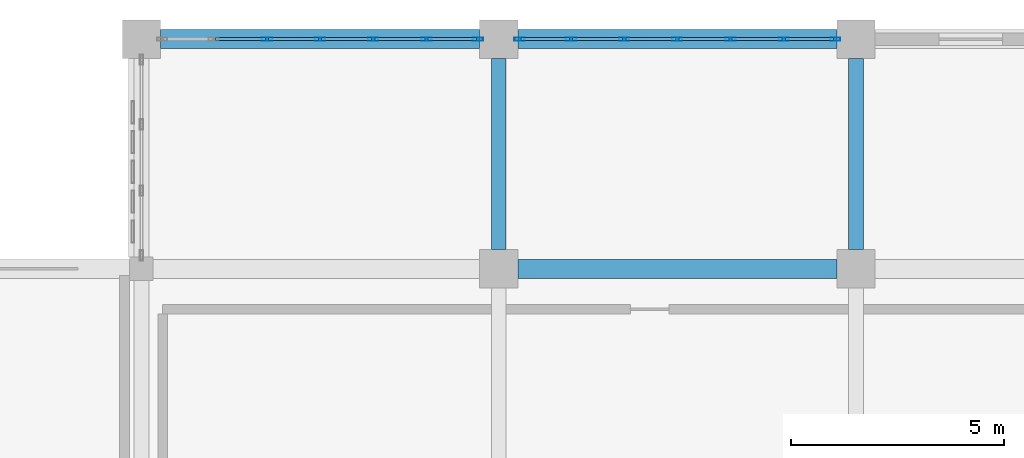
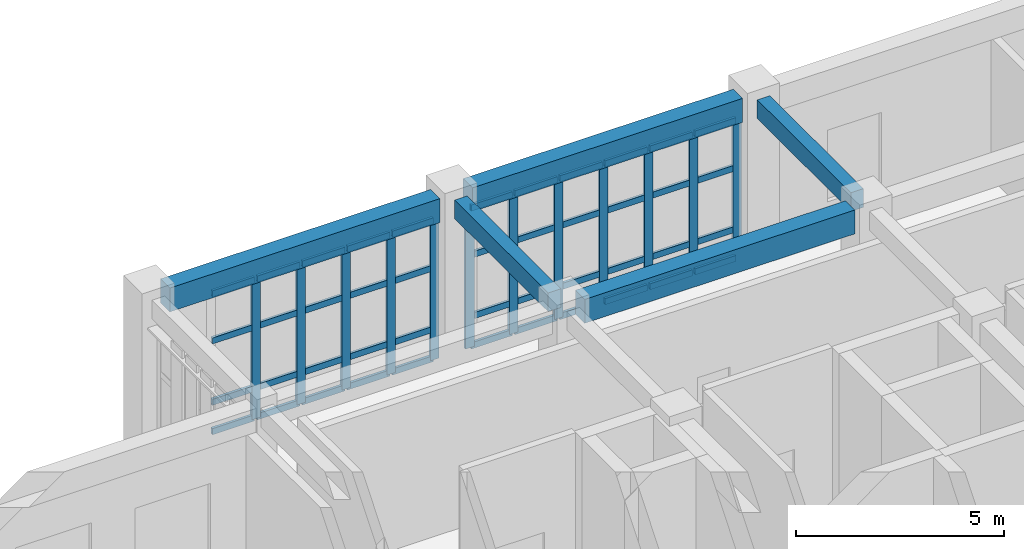
# One storey, part 63 of 106: 56 members, 5 beams, 2 elements without a shape of their own.
"""IFC4 building model written with IfcOpenShell, lengths in metres."""

from ifc_helpers import new_model, si_unit, direction, frame, origin, origin_2d, place, context, subcontext, project, spatial, rectangle, hollow_rectangle, extrude, material, layer, layer_set, material_profile, profile_set, type_object, element, aggregate, save


model = new_model("IFC4")

# Units and contexts
model_context = context("Model", 3, precision=1e-05, world=origin(), true_north=direction((0.0, 1.0)))
body_context = subcontext(model_context, "Body", "Model", "MODEL_VIEW")
ifc_project = project(units=[si_unit("LENGTHUNIT", "METRE"), si_unit("AREAUNIT", "SQUARE_METRE"), si_unit("VOLUMEUNIT", "CUBIC_METRE"), si_unit("PLANEANGLEUNIT", "RADIAN"), si_unit("MASSUNIT", "GRAM", prefix="KILO")], contexts=[model_context])

# Site, building, storey
site_placement = place(None, origin())
site = spatial("IfcSite", under=ifc_project, at=site_placement, CompositionType="ELEMENT")
building_placement = place(site_placement, origin())
building = spatial("IfcBuilding", under=site, at=building_placement, Name="Krzemoval Escarpment Law Courts", CompositionType="ELEMENT")
storey_placement = place(building_placement, frame((0.0, 0.0, 5.10009765625)))
storey = spatial("IfcBuildingStorey", under=building, at=storey_placement, Name="L01", CompositionType="ELEMENT", Elevation=5.10009765625)

# Beams
ifc_material_1 = material(Name="Concrete C40/50", Category="concrete")
ifc_material_profile_1 = material_profile(ifc_material_1, rectangle(XDim=0.35009765625, YDim=0.550048828125, at=origin_2d()), Name="RCB 350x550")
ifc_profile_set_1 = profile_set([ifc_material_profile_1], Name="Concrete C40/50")
beam_type_1 = type_object("IfcBeamType", Name="BM-RC-350x550", PredefinedType="BEAM", material=ifc_profile_set_1)
for number, where, z_axis, x_axis, name in (
    (1, (134.39990234375, 113.85009765625, 4.544921875), (0.0, 1.0, 0.0), (-1.0, 0.0, 0.0), "Beam FG-L01-1535"),
    (2, (142.800048828125, 113.85009765625, 4.544921875), (0.0, 1.0, 0.0), (-1.0, 0.0, 0.0), "Beam FG-L01-1551"),
):
    element("IfcBeam", number, at=place(storey_placement, frame(where, z_axis=z_axis, x_axis=x_axis)), inside=storey, type_object=beam_type_1, Name=name, PredefinedType="BEAM", context=body_context, shape_type="SweptSolid", body=[
        extrude(rectangle(XDim=0.35009765625, YDim=0.550048828125, at=origin_2d()), origin(), (0.0, 0.0, 1.0), 4.5),
    ])
ifc_material_2 = material(Name="Concrete C40/50", Category="concrete")
ifc_material_profile_2 = material_profile(ifc_material_2, rectangle(XDim=0.449951171875, YDim=0.699951171875, at=origin_2d()), Name="RCB 450x700")
ifc_profile_set_2 = profile_set([ifc_material_profile_2], Name="Concrete C40/50")
beam_type_2 = type_object("IfcBeamType", Name="BM-RC-450x700", PredefinedType="BEAM", material=ifc_profile_set_2)
for number, where, z_axis, x_axis, name in (
    (3, (134.85009765625, 113.39990234375, 4.469970703125), (1.0, 0.0, 0.0), (0.0, 1.0, 0.0), "Beam FG-L01-1353"),
    (4, (126.449951171875, 118.800048828125, 4.469970703125), (1.0, 0.0, 0.0), (0.0, 1.0, 0.0), "Beam FG-L01-1364"),
    (5, (134.85009765625, 118.800048828125, 4.469970703125), (1.0, 0.0, 0.0), (0.0, 1.0, 0.0), "Beam FG-L01-1365"),
):
    element("IfcBeam", number, at=place(storey_placement, frame(where, z_axis=z_axis, x_axis=x_axis)), inside=storey, type_object=beam_type_2, Name=name, PredefinedType="BEAM", context=body_context, shape_type="SweptSolid", body=[
        extrude(rectangle(XDim=0.449951171875, YDim=0.699951171875, at=origin_2d()), origin(), (0.0, 0.0, 1.0), 7.5),
    ])

# Curtain wall, members
ifc_material_3 = material(Name="Aluminium 6063-T6", Category="aluminium")
ifc_layer = layer(ifc_material_3, 0.239990234375)
ifc_layer_set = layer_set([ifc_layer], Name="Aluminium 6063-T6")
curtain_wall_type = type_object("IfcCurtainWallType", Name="CW-CHMB-4800", PredefinedType="USERDEFINED", material=ifc_layer_set)
curtain_wall_1_placement = place(storey_placement, origin())
curtain_wall_1 = element("IfcCurtainWall", 6, at=curtain_wall_1_placement, inside=storey, type_object=curtain_wall_type, Name="Unitised Curtain Wall FCW-L01-032", ObjectType="UNITISED_CURTAIN_WALL", PredefinedType="USERDEFINED")
ifc_material_4 = material(Name="Aluminium 6063-T6", Category="aluminium")
ifc_material_profile_3 = material_profile(ifc_material_4, hollow_rectangle(XDim=0.074951171875, YDim=0.239990234375, WallThickness=0.0048828125, at=origin_2d()), Name="ALU M75x240")
ifc_profile_set_3 = profile_set([ifc_material_profile_3], Name="Aluminium 6063-T6")
member_type_1 = type_object("IfcMemberType", Name="CWM-75x240", PredefinedType="MULLION", material=ifc_profile_set_3)
member_1_placement = place(storey_placement, frame((128.949951171875, 118.800048828125, 0.0), z_axis=(0.0, 0.0, 1.0), x_axis=(0.0, 1.0, 0.0)))
member_1 = element("IfcMember", 7, at=member_1_placement, type_object=member_type_1, Name="FCW-L01-032 mullion 3", PredefinedType="MULLION", context=body_context, shape_type="SweptSolid", body=[
    extrude(hollow_rectangle(XDim=0.074951171875, YDim=0.239990234375, WallThickness=0.0048828125, at=origin_2d()), origin(), (0.0, 0.0, 1.0), 4.119873046875),
])
member_2_placement = place(storey_placement, frame((130.199951171875, 118.800048828125, 0.0), z_axis=(0.0, 0.0, 1.0), x_axis=(0.0, 1.0, 0.0)))
member_2 = element("IfcMember", 8, at=member_2_placement, type_object=member_type_1, Name="FCW-L01-032 mullion 4", PredefinedType="MULLION", context=body_context, shape_type="SweptSolid", body=[
    extrude(hollow_rectangle(XDim=0.074951171875, YDim=0.239990234375, WallThickness=0.0048828125, at=origin_2d()), origin(), (0.0, 0.0, 1.0), 4.119873046875),
])
member_3_placement = place(storey_placement, frame((131.449951171875, 118.800048828125, 0.0), z_axis=(0.0, 0.0, 1.0), x_axis=(0.0, 1.0, 0.0)))
member_3 = element("IfcMember", 9, at=member_3_placement, type_object=member_type_1, Name="FCW-L01-032 mullion 5", PredefinedType="MULLION", context=body_context, shape_type="SweptSolid", body=[
    extrude(hollow_rectangle(XDim=0.074951171875, YDim=0.239990234375, WallThickness=0.0048828125, at=origin_2d()), origin(), (0.0, 0.0, 1.0), 4.119873046875),
])
member_4_placement = place(storey_placement, frame((132.699951171875, 118.800048828125, 0.0), z_axis=(0.0, 0.0, 1.0), x_axis=(0.0, 1.0, 0.0)))
member_4 = element("IfcMember", 10, at=member_4_placement, type_object=member_type_1, Name="FCW-L01-032 mullion 6", PredefinedType="MULLION", context=body_context, shape_type="SweptSolid", body=[
    extrude(hollow_rectangle(XDim=0.074951171875, YDim=0.239990234375, WallThickness=0.0048828125, at=origin_2d()), origin(), (0.0, 0.0, 1.0), 4.119873046875),
])
member_5_placement = place(storey_placement, frame((133.91259765625, 118.800048828125, 0.0), z_axis=(0.0, 0.0, 1.0), x_axis=(0.0, 1.0, 0.0)))
member_5 = element("IfcMember", 11, at=member_5_placement, type_object=member_type_1, Name="FCW-L01-032 mullion 7", PredefinedType="MULLION", context=body_context, shape_type="SweptSolid", body=[
    extrude(hollow_rectangle(XDim=0.074951171875, YDim=0.239990234375, WallThickness=0.0048828125, at=origin_2d()), origin(), (0.0, 0.0, 1.0), 4.119873046875),
])

curtain_wall_2_placement = place(storey_placement, origin())
curtain_wall_2 = element("IfcCurtainWall", 12, at=curtain_wall_2_placement, inside=storey, type_object=curtain_wall_type, Name="Unitised Curtain Wall FCW-L01-033", ObjectType="UNITISED_CURTAIN_WALL", PredefinedType="USERDEFINED")
member_6_placement = place(storey_placement, frame((134.887451171875, 118.800048828125, 0.0), z_axis=(0.0, 0.0, 1.0), x_axis=(0.0, 1.0, 0.0)))
member_6 = element("IfcMember", 13, at=member_6_placement, type_object=member_type_1, Name="FCW-L01-033 mullion 1", PredefinedType="MULLION", context=body_context, shape_type="SweptSolid", body=[
    extrude(hollow_rectangle(XDim=0.074951171875, YDim=0.239990234375, WallThickness=0.0048828125, at=origin_2d()), origin(), (0.0, 0.0, 1.0), 4.119873046875),
])
member_7_placement = place(storey_placement, frame((136.10009765625, 118.800048828125, 0.0), z_axis=(0.0, 0.0, 1.0), x_axis=(0.0, 1.0, 0.0)))
member_7 = element("IfcMember", 14, at=member_7_placement, type_object=member_type_1, Name="FCW-L01-033 mullion 2", PredefinedType="MULLION", context=body_context, shape_type="SweptSolid", body=[
    extrude(hollow_rectangle(XDim=0.074951171875, YDim=0.239990234375, WallThickness=0.0048828125, at=origin_2d()), origin(), (0.0, 0.0, 1.0), 4.119873046875),
])
member_8_placement = place(storey_placement, frame((137.35009765625, 118.800048828125, 0.0), z_axis=(0.0, 0.0, 1.0), x_axis=(0.0, 1.0, 0.0)))
member_8 = element("IfcMember", 15, at=member_8_placement, type_object=member_type_1, Name="FCW-L01-033 mullion 3", PredefinedType="MULLION", context=body_context, shape_type="SweptSolid", body=[
    extrude(hollow_rectangle(XDim=0.074951171875, YDim=0.239990234375, WallThickness=0.0048828125, at=origin_2d()), origin(), (0.0, 0.0, 1.0), 4.119873046875),
])
member_9_placement = place(storey_placement, frame((138.60009765625, 118.800048828125, 0.0), z_axis=(0.0, 0.0, 1.0), x_axis=(0.0, 1.0, 0.0)))
member_9 = element("IfcMember", 16, at=member_9_placement, type_object=member_type_1, Name="FCW-L01-033 mullion 4", PredefinedType="MULLION", context=body_context, shape_type="SweptSolid", body=[
    extrude(hollow_rectangle(XDim=0.074951171875, YDim=0.239990234375, WallThickness=0.0048828125, at=origin_2d()), origin(), (0.0, 0.0, 1.0), 4.119873046875),
])
member_10_placement = place(storey_placement, frame((139.85009765625, 118.800048828125, 0.0), z_axis=(0.0, 0.0, 1.0), x_axis=(0.0, 1.0, 0.0)))
member_10 = element("IfcMember", 17, at=member_10_placement, type_object=member_type_1, Name="FCW-L01-033 mullion 5", PredefinedType="MULLION", context=body_context, shape_type="SweptSolid", body=[
    extrude(hollow_rectangle(XDim=0.074951171875, YDim=0.239990234375, WallThickness=0.0048828125, at=origin_2d()), origin(), (0.0, 0.0, 1.0), 4.119873046875),
])
member_11_placement = place(storey_placement, frame((141.10009765625, 118.800048828125, 0.0), z_axis=(0.0, 0.0, 1.0), x_axis=(0.0, 1.0, 0.0)))
member_11 = element("IfcMember", 18, at=member_11_placement, type_object=member_type_1, Name="FCW-L01-033 mullion 6", PredefinedType="MULLION", context=body_context, shape_type="SweptSolid", body=[
    extrude(hollow_rectangle(XDim=0.074951171875, YDim=0.239990234375, WallThickness=0.0048828125, at=origin_2d()), origin(), (0.0, 0.0, 1.0), 4.119873046875),
])
member_12_placement = place(storey_placement, frame((142.3125, 118.800048828125, 0.0), z_axis=(0.0, 0.0, 1.0), x_axis=(0.0, 1.0, 0.0)))
member_12 = element("IfcMember", 19, at=member_12_placement, type_object=member_type_1, Name="FCW-L01-033 mullion 7", PredefinedType="MULLION", context=body_context, shape_type="SweptSolid", body=[
    extrude(hollow_rectangle(XDim=0.074951171875, YDim=0.239990234375, WallThickness=0.0048828125, at=origin_2d()), origin(), (0.0, 0.0, 1.0), 4.119873046875),
])

# Member
ifc_material_5 = material(Name="Aluminium 6063-T6", Category="aluminium")
ifc_material_profile_4 = material_profile(ifc_material_5, hollow_rectangle(XDim=0.074951171875, YDim=0.179931640625, WallThickness=0.0048828125, at=origin_2d()), Name="ALU T75x180")
ifc_profile_set_4 = profile_set([ifc_material_profile_4], Name="Aluminium 6063-T6")
member_type_2 = type_object("IfcMemberType", Name="CWT-75x180", PredefinedType="USERDEFINED", material=ifc_profile_set_4)
member_13_placement = place(storey_placement, frame((127.737548828125, 118.800048828125, 0.037353515625), z_axis=(1.0, 0.0, 0.0), x_axis=(0.0, 1.0, 0.0)))
member_13 = element("IfcMember", 20, at=member_13_placement, type_object=member_type_2, Name="FCW-L01-032 transom 2.1", ObjectType="TRANSOM", PredefinedType="USERDEFINED", context=body_context, shape_type="SweptSolid", body=[
    extrude(hollow_rectangle(XDim=0.074951171875, YDim=0.179931640625, WallThickness=0.0048828125, at=origin_2d()), origin(), (0.0, 0.0, 1.0), 1.175048828125),
])

member_14_placement = place(storey_placement, frame((127.737548828125, 118.800048828125, 0.89990234375), z_axis=(1.0, 0.0, 0.0), x_axis=(0.0, 1.0, 0.0)))
member_14 = element("IfcMember", 21, at=member_14_placement, type_object=member_type_2, Name="FCW-L01-032 transom 2.2", ObjectType="TRANSOM", PredefinedType="USERDEFINED", context=body_context, shape_type="SweptSolid", body=[
    extrude(hollow_rectangle(XDim=0.074951171875, YDim=0.179931640625, WallThickness=0.0048828125, at=origin_2d()), origin(), (0.0, 0.0, 1.0), 1.175048828125),
])

member_15_placement = place(storey_placement, frame((127.737548828125, 118.800048828125, 2.699951171875), z_axis=(1.0, 0.0, 0.0), x_axis=(0.0, 1.0, 0.0)))
member_15 = element("IfcMember", 22, at=member_15_placement, type_object=member_type_2, Name="FCW-L01-032 transom 2.3", ObjectType="TRANSOM", PredefinedType="USERDEFINED", context=body_context, shape_type="SweptSolid", body=[
    extrude(hollow_rectangle(XDim=0.074951171875, YDim=0.179931640625, WallThickness=0.0048828125, at=origin_2d()), origin(), (0.0, 0.0, 1.0), 1.175048828125),
])

member_16_placement = place(storey_placement, frame((127.737548828125, 118.800048828125, 4.08251953125), z_axis=(1.0, 0.0, 0.0), x_axis=(0.0, 1.0, 0.0)))
member_16 = element("IfcMember", 23, at=member_16_placement, type_object=member_type_2, Name="FCW-L01-032 transom 2.4", ObjectType="TRANSOM", PredefinedType="USERDEFINED", context=body_context, shape_type="SweptSolid", body=[
    extrude(hollow_rectangle(XDim=0.074951171875, YDim=0.179931640625, WallThickness=0.0048828125, at=origin_2d()), origin(), (0.0, 0.0, 1.0), 1.175048828125),
])

member_17_placement = place(storey_placement, frame((128.987548828125, 118.800048828125, 0.037353515625), z_axis=(1.0, 0.0, 0.0), x_axis=(0.0, 1.0, 0.0)))
member_17 = element("IfcMember", 24, at=member_17_placement, type_object=member_type_2, Name="FCW-L01-032 transom 3.1", ObjectType="TRANSOM", PredefinedType="USERDEFINED", context=body_context, shape_type="SweptSolid", body=[
    extrude(hollow_rectangle(XDim=0.074951171875, YDim=0.179931640625, WallThickness=0.0048828125, at=origin_2d()), origin(), (0.0, 0.0, 1.0), 1.175048828125),
])

member_18_placement = place(storey_placement, frame((128.987548828125, 118.800048828125, 0.89990234375), z_axis=(1.0, 0.0, 0.0), x_axis=(0.0, 1.0, 0.0)))
member_18 = element("IfcMember", 25, at=member_18_placement, type_object=member_type_2, Name="FCW-L01-032 transom 3.2", ObjectType="TRANSOM", PredefinedType="USERDEFINED", context=body_context, shape_type="SweptSolid", body=[
    extrude(hollow_rectangle(XDim=0.074951171875, YDim=0.179931640625, WallThickness=0.0048828125, at=origin_2d()), origin(), (0.0, 0.0, 1.0), 1.175048828125),
])

member_19_placement = place(storey_placement, frame((128.987548828125, 118.800048828125, 2.699951171875), z_axis=(1.0, 0.0, 0.0), x_axis=(0.0, 1.0, 0.0)))
member_19 = element("IfcMember", 26, at=member_19_placement, type_object=member_type_2, Name="FCW-L01-032 transom 3.3", ObjectType="TRANSOM", PredefinedType="USERDEFINED", context=body_context, shape_type="SweptSolid", body=[
    extrude(hollow_rectangle(XDim=0.074951171875, YDim=0.179931640625, WallThickness=0.0048828125, at=origin_2d()), origin(), (0.0, 0.0, 1.0), 1.175048828125),
])

member_20_placement = place(storey_placement, frame((128.987548828125, 118.800048828125, 4.08251953125), z_axis=(1.0, 0.0, 0.0), x_axis=(0.0, 1.0, 0.0)))
member_20 = element("IfcMember", 27, at=member_20_placement, type_object=member_type_2, Name="FCW-L01-032 transom 3.4", ObjectType="TRANSOM", PredefinedType="USERDEFINED", context=body_context, shape_type="SweptSolid", body=[
    extrude(hollow_rectangle(XDim=0.074951171875, YDim=0.179931640625, WallThickness=0.0048828125, at=origin_2d()), origin(), (0.0, 0.0, 1.0), 1.175048828125),
])

member_21_placement = place(storey_placement, frame((130.237548828125, 118.800048828125, 0.037353515625), z_axis=(1.0, 0.0, 0.0), x_axis=(0.0, 1.0, 0.0)))
member_21 = element("IfcMember", 28, at=member_21_placement, type_object=member_type_2, Name="FCW-L01-032 transom 4.1", ObjectType="TRANSOM", PredefinedType="USERDEFINED", context=body_context, shape_type="SweptSolid", body=[
    extrude(hollow_rectangle(XDim=0.074951171875, YDim=0.179931640625, WallThickness=0.0048828125, at=origin_2d()), origin(), (0.0, 0.0, 1.0), 1.175048828125),
])

member_22_placement = place(storey_placement, frame((130.237548828125, 118.800048828125, 0.89990234375), z_axis=(1.0, 0.0, 0.0), x_axis=(0.0, 1.0, 0.0)))
member_22 = element("IfcMember", 29, at=member_22_placement, type_object=member_type_2, Name="FCW-L01-032 transom 4.2", ObjectType="TRANSOM", PredefinedType="USERDEFINED", context=body_context, shape_type="SweptSolid", body=[
    extrude(hollow_rectangle(XDim=0.074951171875, YDim=0.179931640625, WallThickness=0.0048828125, at=origin_2d()), origin(), (0.0, 0.0, 1.0), 1.175048828125),
])

member_23_placement = place(storey_placement, frame((130.237548828125, 118.800048828125, 2.699951171875), z_axis=(1.0, 0.0, 0.0), x_axis=(0.0, 1.0, 0.0)))
member_23 = element("IfcMember", 30, at=member_23_placement, type_object=member_type_2, Name="FCW-L01-032 transom 4.3", ObjectType="TRANSOM", PredefinedType="USERDEFINED", context=body_context, shape_type="SweptSolid", body=[
    extrude(hollow_rectangle(XDim=0.074951171875, YDim=0.179931640625, WallThickness=0.0048828125, at=origin_2d()), origin(), (0.0, 0.0, 1.0), 1.175048828125),
])

member_24_placement = place(storey_placement, frame((130.237548828125, 118.800048828125, 4.08251953125), z_axis=(1.0, 0.0, 0.0), x_axis=(0.0, 1.0, 0.0)))
member_24 = element("IfcMember", 31, at=member_24_placement, type_object=member_type_2, Name="FCW-L01-032 transom 4.4", ObjectType="TRANSOM", PredefinedType="USERDEFINED", context=body_context, shape_type="SweptSolid", body=[
    extrude(hollow_rectangle(XDim=0.074951171875, YDim=0.179931640625, WallThickness=0.0048828125, at=origin_2d()), origin(), (0.0, 0.0, 1.0), 1.175048828125),
])

member_25_placement = place(storey_placement, frame((131.487548828125, 118.800048828125, 0.037353515625), z_axis=(1.0, 0.0, 0.0), x_axis=(0.0, 1.0, 0.0)))
member_25 = element("IfcMember", 32, at=member_25_placement, type_object=member_type_2, Name="FCW-L01-032 transom 5.1", ObjectType="TRANSOM", PredefinedType="USERDEFINED", context=body_context, shape_type="SweptSolid", body=[
    extrude(hollow_rectangle(XDim=0.074951171875, YDim=0.179931640625, WallThickness=0.0048828125, at=origin_2d()), origin(), (0.0, 0.0, 1.0), 1.175048828125),
])

member_26_placement = place(storey_placement, frame((131.487548828125, 118.800048828125, 0.89990234375), z_axis=(1.0, 0.0, 0.0), x_axis=(0.0, 1.0, 0.0)))
member_26 = element("IfcMember", 33, at=member_26_placement, type_object=member_type_2, Name="FCW-L01-032 transom 5.2", ObjectType="TRANSOM", PredefinedType="USERDEFINED", context=body_context, shape_type="SweptSolid", body=[
    extrude(hollow_rectangle(XDim=0.074951171875, YDim=0.179931640625, WallThickness=0.0048828125, at=origin_2d()), origin(), (0.0, 0.0, 1.0), 1.175048828125),
])

member_27_placement = place(storey_placement, frame((131.487548828125, 118.800048828125, 2.699951171875), z_axis=(1.0, 0.0, 0.0), x_axis=(0.0, 1.0, 0.0)))
member_27 = element("IfcMember", 34, at=member_27_placement, type_object=member_type_2, Name="FCW-L01-032 transom 5.3", ObjectType="TRANSOM", PredefinedType="USERDEFINED", context=body_context, shape_type="SweptSolid", body=[
    extrude(hollow_rectangle(XDim=0.074951171875, YDim=0.179931640625, WallThickness=0.0048828125, at=origin_2d()), origin(), (0.0, 0.0, 1.0), 1.175048828125),
])

member_28_placement = place(storey_placement, frame((131.487548828125, 118.800048828125, 4.08251953125), z_axis=(1.0, 0.0, 0.0), x_axis=(0.0, 1.0, 0.0)))
member_28 = element("IfcMember", 35, at=member_28_placement, type_object=member_type_2, Name="FCW-L01-032 transom 5.4", ObjectType="TRANSOM", PredefinedType="USERDEFINED", context=body_context, shape_type="SweptSolid", body=[
    extrude(hollow_rectangle(XDim=0.074951171875, YDim=0.179931640625, WallThickness=0.0048828125, at=origin_2d()), origin(), (0.0, 0.0, 1.0), 1.175048828125),
])

member_29_placement = place(storey_placement, frame((132.737548828125, 118.800048828125, 0.037353515625), z_axis=(1.0, 0.0, 0.0), x_axis=(0.0, 1.0, 0.0)))
member_29 = element("IfcMember", 36, at=member_29_placement, type_object=member_type_2, Name="FCW-L01-032 transom 6.1", ObjectType="TRANSOM", PredefinedType="USERDEFINED", context=body_context, shape_type="SweptSolid", body=[
    extrude(hollow_rectangle(XDim=0.074951171875, YDim=0.179931640625, WallThickness=0.0048828125, at=origin_2d()), origin(), (0.0, 0.0, 1.0), 1.137451171875),
])

member_30_placement = place(storey_placement, frame((132.737548828125, 118.800048828125, 0.89990234375), z_axis=(1.0, 0.0, 0.0), x_axis=(0.0, 1.0, 0.0)))
member_30 = element("IfcMember", 37, at=member_30_placement, type_object=member_type_2, Name="FCW-L01-032 transom 6.2", ObjectType="TRANSOM", PredefinedType="USERDEFINED", context=body_context, shape_type="SweptSolid", body=[
    extrude(hollow_rectangle(XDim=0.074951171875, YDim=0.179931640625, WallThickness=0.0048828125, at=origin_2d()), origin(), (0.0, 0.0, 1.0), 1.137451171875),
])

member_31_placement = place(storey_placement, frame((132.737548828125, 118.800048828125, 2.699951171875), z_axis=(1.0, 0.0, 0.0), x_axis=(0.0, 1.0, 0.0)))
member_31 = element("IfcMember", 38, at=member_31_placement, type_object=member_type_2, Name="FCW-L01-032 transom 6.3", ObjectType="TRANSOM", PredefinedType="USERDEFINED", context=body_context, shape_type="SweptSolid", body=[
    extrude(hollow_rectangle(XDim=0.074951171875, YDim=0.179931640625, WallThickness=0.0048828125, at=origin_2d()), origin(), (0.0, 0.0, 1.0), 1.137451171875),
])

member_32_placement = place(storey_placement, frame((132.737548828125, 118.800048828125, 4.08251953125), z_axis=(1.0, 0.0, 0.0), x_axis=(0.0, 1.0, 0.0)))
member_32 = element("IfcMember", 39, at=member_32_placement, type_object=member_type_2, Name="FCW-L01-032 transom 6.4", ObjectType="TRANSOM", PredefinedType="USERDEFINED", context=body_context, shape_type="SweptSolid", body=[
    extrude(hollow_rectangle(XDim=0.074951171875, YDim=0.179931640625, WallThickness=0.0048828125, at=origin_2d()), origin(), (0.0, 0.0, 1.0), 1.137451171875),
])

aggregate(curtain_wall_1, [member_1, member_2, member_3, member_4, member_5, member_13, member_14, member_15, member_16, member_17, member_18, member_19, member_20, member_21, member_22, member_23, member_24, member_25, member_26, member_27, member_28, member_29, member_30, member_31, member_32])

member_33_placement = place(storey_placement, frame((134.925048828125, 118.800048828125, 0.037353515625), z_axis=(1.0, 0.0, 0.0), x_axis=(0.0, 1.0, 0.0)))
member_33 = element("IfcMember", 40, at=member_33_placement, type_object=member_type_2, Name="FCW-L01-033 transom 1.1", ObjectType="TRANSOM", PredefinedType="USERDEFINED", context=body_context, shape_type="SweptSolid", body=[
    extrude(hollow_rectangle(XDim=0.074951171875, YDim=0.179931640625, WallThickness=0.0048828125, at=origin_2d()), origin(), (0.0, 0.0, 1.0), 1.137451171875),
])

member_34_placement = place(storey_placement, frame((134.925048828125, 118.800048828125, 0.89990234375), z_axis=(1.0, 0.0, 0.0), x_axis=(0.0, 1.0, 0.0)))
member_34 = element("IfcMember", 41, at=member_34_placement, type_object=member_type_2, Name="FCW-L01-033 transom 1.2", ObjectType="TRANSOM", PredefinedType="USERDEFINED", context=body_context, shape_type="SweptSolid", body=[
    extrude(hollow_rectangle(XDim=0.074951171875, YDim=0.179931640625, WallThickness=0.0048828125, at=origin_2d()), origin(), (0.0, 0.0, 1.0), 1.137451171875),
])

member_35_placement = place(storey_placement, frame((134.925048828125, 118.800048828125, 2.699951171875), z_axis=(1.0, 0.0, 0.0), x_axis=(0.0, 1.0, 0.0)))
member_35 = element("IfcMember", 42, at=member_35_placement, type_object=member_type_2, Name="FCW-L01-033 transom 1.3", ObjectType="TRANSOM", PredefinedType="USERDEFINED", context=body_context, shape_type="SweptSolid", body=[
    extrude(hollow_rectangle(XDim=0.074951171875, YDim=0.179931640625, WallThickness=0.0048828125, at=origin_2d()), origin(), (0.0, 0.0, 1.0), 1.137451171875),
])

member_36_placement = place(storey_placement, frame((134.925048828125, 118.800048828125, 4.08251953125), z_axis=(1.0, 0.0, 0.0), x_axis=(0.0, 1.0, 0.0)))
member_36 = element("IfcMember", 43, at=member_36_placement, type_object=member_type_2, Name="FCW-L01-033 transom 1.4", ObjectType="TRANSOM", PredefinedType="USERDEFINED", context=body_context, shape_type="SweptSolid", body=[
    extrude(hollow_rectangle(XDim=0.074951171875, YDim=0.179931640625, WallThickness=0.0048828125, at=origin_2d()), origin(), (0.0, 0.0, 1.0), 1.137451171875),
])

member_37_placement = place(storey_placement, frame((136.137451171875, 118.800048828125, 0.037353515625), z_axis=(1.0, 0.0, 0.0), x_axis=(0.0, 1.0, 0.0)))
member_37 = element("IfcMember", 44, at=member_37_placement, type_object=member_type_2, Name="FCW-L01-033 transom 2.1", ObjectType="TRANSOM", PredefinedType="USERDEFINED", context=body_context, shape_type="SweptSolid", body=[
    extrude(hollow_rectangle(XDim=0.074951171875, YDim=0.179931640625, WallThickness=0.0048828125, at=origin_2d()), origin(), (0.0, 0.0, 1.0), 1.175048828125),
])

member_38_placement = place(storey_placement, frame((136.137451171875, 118.800048828125, 0.89990234375), z_axis=(1.0, 0.0, 0.0), x_axis=(0.0, 1.0, 0.0)))
member_38 = element("IfcMember", 45, at=member_38_placement, type_object=member_type_2, Name="FCW-L01-033 transom 2.2", ObjectType="TRANSOM", PredefinedType="USERDEFINED", context=body_context, shape_type="SweptSolid", body=[
    extrude(hollow_rectangle(XDim=0.074951171875, YDim=0.179931640625, WallThickness=0.0048828125, at=origin_2d()), origin(), (0.0, 0.0, 1.0), 1.175048828125),
])

member_39_placement = place(storey_placement, frame((136.137451171875, 118.800048828125, 2.699951171875), z_axis=(1.0, 0.0, 0.0), x_axis=(0.0, 1.0, 0.0)))
member_39 = element("IfcMember", 46, at=member_39_placement, type_object=member_type_2, Name="FCW-L01-033 transom 2.3", ObjectType="TRANSOM", PredefinedType="USERDEFINED", context=body_context, shape_type="SweptSolid", body=[
    extrude(hollow_rectangle(XDim=0.074951171875, YDim=0.179931640625, WallThickness=0.0048828125, at=origin_2d()), origin(), (0.0, 0.0, 1.0), 1.175048828125),
])

member_40_placement = place(storey_placement, frame((136.137451171875, 118.800048828125, 4.08251953125), z_axis=(1.0, 0.0, 0.0), x_axis=(0.0, 1.0, 0.0)))
member_40 = element("IfcMember", 47, at=member_40_placement, type_object=member_type_2, Name="FCW-L01-033 transom 2.4", ObjectType="TRANSOM", PredefinedType="USERDEFINED", context=body_context, shape_type="SweptSolid", body=[
    extrude(hollow_rectangle(XDim=0.074951171875, YDim=0.179931640625, WallThickness=0.0048828125, at=origin_2d()), origin(), (0.0, 0.0, 1.0), 1.175048828125),
])

member_41_placement = place(storey_placement, frame((137.387451171875, 118.800048828125, 0.037353515625), z_axis=(1.0, 0.0, 0.0), x_axis=(0.0, 1.0, 0.0)))
member_41 = element("IfcMember", 48, at=member_41_placement, type_object=member_type_2, Name="FCW-L01-033 transom 3.1", ObjectType="TRANSOM", PredefinedType="USERDEFINED", context=body_context, shape_type="SweptSolid", body=[
    extrude(hollow_rectangle(XDim=0.074951171875, YDim=0.179931640625, WallThickness=0.0048828125, at=origin_2d()), origin(), (0.0, 0.0, 1.0), 1.175048828125),
])

member_42_placement = place(storey_placement, frame((137.387451171875, 118.800048828125, 0.89990234375), z_axis=(1.0, 0.0, 0.0), x_axis=(0.0, 1.0, 0.0)))
member_42 = element("IfcMember", 49, at=member_42_placement, type_object=member_type_2, Name="FCW-L01-033 transom 3.2", ObjectType="TRANSOM", PredefinedType="USERDEFINED", context=body_context, shape_type="SweptSolid", body=[
    extrude(hollow_rectangle(XDim=0.074951171875, YDim=0.179931640625, WallThickness=0.0048828125, at=origin_2d()), origin(), (0.0, 0.0, 1.0), 1.175048828125),
])

member_43_placement = place(storey_placement, frame((137.387451171875, 118.800048828125, 2.699951171875), z_axis=(1.0, 0.0, 0.0), x_axis=(0.0, 1.0, 0.0)))
member_43 = element("IfcMember", 50, at=member_43_placement, type_object=member_type_2, Name="FCW-L01-033 transom 3.3", ObjectType="TRANSOM", PredefinedType="USERDEFINED", context=body_context, shape_type="SweptSolid", body=[
    extrude(hollow_rectangle(XDim=0.074951171875, YDim=0.179931640625, WallThickness=0.0048828125, at=origin_2d()), origin(), (0.0, 0.0, 1.0), 1.175048828125),
])

member_44_placement = place(storey_placement, frame((137.387451171875, 118.800048828125, 4.08251953125), z_axis=(1.0, 0.0, 0.0), x_axis=(0.0, 1.0, 0.0)))
member_44 = element("IfcMember", 51, at=member_44_placement, type_object=member_type_2, Name="FCW-L01-033 transom 3.4", ObjectType="TRANSOM", PredefinedType="USERDEFINED", context=body_context, shape_type="SweptSolid", body=[
    extrude(hollow_rectangle(XDim=0.074951171875, YDim=0.179931640625, WallThickness=0.0048828125, at=origin_2d()), origin(), (0.0, 0.0, 1.0), 1.175048828125),
])

member_45_placement = place(storey_placement, frame((138.637451171875, 118.800048828125, 0.037353515625), z_axis=(1.0, 0.0, 0.0), x_axis=(0.0, 1.0, 0.0)))
member_45 = element("IfcMember", 52, at=member_45_placement, type_object=member_type_2, Name="FCW-L01-033 transom 4.1", ObjectType="TRANSOM", PredefinedType="USERDEFINED", context=body_context, shape_type="SweptSolid", body=[
    extrude(hollow_rectangle(XDim=0.074951171875, YDim=0.179931640625, WallThickness=0.0048828125, at=origin_2d()), origin(), (0.0, 0.0, 1.0), 1.175048828125),
])

member_46_placement = place(storey_placement, frame((138.637451171875, 118.800048828125, 0.89990234375), z_axis=(1.0, 0.0, 0.0), x_axis=(0.0, 1.0, 0.0)))
member_46 = element("IfcMember", 53, at=member_46_placement, type_object=member_type_2, Name="FCW-L01-033 transom 4.2", ObjectType="TRANSOM", PredefinedType="USERDEFINED", context=body_context, shape_type="SweptSolid", body=[
    extrude(hollow_rectangle(XDim=0.074951171875, YDim=0.179931640625, WallThickness=0.0048828125, at=origin_2d()), origin(), (0.0, 0.0, 1.0), 1.175048828125),
])

member_47_placement = place(storey_placement, frame((138.637451171875, 118.800048828125, 2.699951171875), z_axis=(1.0, 0.0, 0.0), x_axis=(0.0, 1.0, 0.0)))
member_47 = element("IfcMember", 54, at=member_47_placement, type_object=member_type_2, Name="FCW-L01-033 transom 4.3", ObjectType="TRANSOM", PredefinedType="USERDEFINED", context=body_context, shape_type="SweptSolid", body=[
    extrude(hollow_rectangle(XDim=0.074951171875, YDim=0.179931640625, WallThickness=0.0048828125, at=origin_2d()), origin(), (0.0, 0.0, 1.0), 1.175048828125),
])

member_48_placement = place(storey_placement, frame((138.637451171875, 118.800048828125, 4.08251953125), z_axis=(1.0, 0.0, 0.0), x_axis=(0.0, 1.0, 0.0)))
member_48 = element("IfcMember", 55, at=member_48_placement, type_object=member_type_2, Name="FCW-L01-033 transom 4.4", ObjectType="TRANSOM", PredefinedType="USERDEFINED", context=body_context, shape_type="SweptSolid", body=[
    extrude(hollow_rectangle(XDim=0.074951171875, YDim=0.179931640625, WallThickness=0.0048828125, at=origin_2d()), origin(), (0.0, 0.0, 1.0), 1.175048828125),
])

member_49_placement = place(storey_placement, frame((139.887451171875, 118.800048828125, 0.037353515625), z_axis=(1.0, 0.0, 0.0), x_axis=(0.0, 1.0, 0.0)))
member_49 = element("IfcMember", 56, at=member_49_placement, type_object=member_type_2, Name="FCW-L01-033 transom 5.1", ObjectType="TRANSOM", PredefinedType="USERDEFINED", context=body_context, shape_type="SweptSolid", body=[
    extrude(hollow_rectangle(XDim=0.074951171875, YDim=0.179931640625, WallThickness=0.0048828125, at=origin_2d()), origin(), (0.0, 0.0, 1.0), 1.175048828125),
])

member_50_placement = place(storey_placement, frame((139.887451171875, 118.800048828125, 0.89990234375), z_axis=(1.0, 0.0, 0.0), x_axis=(0.0, 1.0, 0.0)))
member_50 = element("IfcMember", 57, at=member_50_placement, type_object=member_type_2, Name="FCW-L01-033 transom 5.2", ObjectType="TRANSOM", PredefinedType="USERDEFINED", context=body_context, shape_type="SweptSolid", body=[
    extrude(hollow_rectangle(XDim=0.074951171875, YDim=0.179931640625, WallThickness=0.0048828125, at=origin_2d()), origin(), (0.0, 0.0, 1.0), 1.175048828125),
])

member_51_placement = place(storey_placement, frame((139.887451171875, 118.800048828125, 2.699951171875), z_axis=(1.0, 0.0, 0.0), x_axis=(0.0, 1.0, 0.0)))
member_51 = element("IfcMember", 58, at=member_51_placement, type_object=member_type_2, Name="FCW-L01-033 transom 5.3", ObjectType="TRANSOM", PredefinedType="USERDEFINED", context=body_context, shape_type="SweptSolid", body=[
    extrude(hollow_rectangle(XDim=0.074951171875, YDim=0.179931640625, WallThickness=0.0048828125, at=origin_2d()), origin(), (0.0, 0.0, 1.0), 1.175048828125),
])

member_52_placement = place(storey_placement, frame((139.887451171875, 118.800048828125, 4.08251953125), z_axis=(1.0, 0.0, 0.0), x_axis=(0.0, 1.0, 0.0)))
member_52 = element("IfcMember", 59, at=member_52_placement, type_object=member_type_2, Name="FCW-L01-033 transom 5.4", ObjectType="TRANSOM", PredefinedType="USERDEFINED", context=body_context, shape_type="SweptSolid", body=[
    extrude(hollow_rectangle(XDim=0.074951171875, YDim=0.179931640625, WallThickness=0.0048828125, at=origin_2d()), origin(), (0.0, 0.0, 1.0), 1.175048828125),
])

member_53_placement = place(storey_placement, frame((141.137451171875, 118.800048828125, 0.037353515625), z_axis=(1.0, 0.0, 0.0), x_axis=(0.0, 1.0, 0.0)))
member_53 = element("IfcMember", 60, at=member_53_placement, type_object=member_type_2, Name="FCW-L01-033 transom 6.1", ObjectType="TRANSOM", PredefinedType="USERDEFINED", context=body_context, shape_type="SweptSolid", body=[
    extrude(hollow_rectangle(XDim=0.074951171875, YDim=0.179931640625, WallThickness=0.0048828125, at=origin_2d()), origin(), (0.0, 0.0, 1.0), 1.137451171875),
])

member_54_placement = place(storey_placement, frame((141.137451171875, 118.800048828125, 0.89990234375), z_axis=(1.0, 0.0, 0.0), x_axis=(0.0, 1.0, 0.0)))
member_54 = element("IfcMember", 61, at=member_54_placement, type_object=member_type_2, Name="FCW-L01-033 transom 6.2", ObjectType="TRANSOM", PredefinedType="USERDEFINED", context=body_context, shape_type="SweptSolid", body=[
    extrude(hollow_rectangle(XDim=0.074951171875, YDim=0.179931640625, WallThickness=0.0048828125, at=origin_2d()), origin(), (0.0, 0.0, 1.0), 1.137451171875),
])

member_55_placement = place(storey_placement, frame((141.137451171875, 118.800048828125, 2.699951171875), z_axis=(1.0, 0.0, 0.0), x_axis=(0.0, 1.0, 0.0)))
member_55 = element("IfcMember", 62, at=member_55_placement, type_object=member_type_2, Name="FCW-L01-033 transom 6.3", ObjectType="TRANSOM", PredefinedType="USERDEFINED", context=body_context, shape_type="SweptSolid", body=[
    extrude(hollow_rectangle(XDim=0.074951171875, YDim=0.179931640625, WallThickness=0.0048828125, at=origin_2d()), origin(), (0.0, 0.0, 1.0), 1.137451171875),
])

member_56_placement = place(storey_placement, frame((141.137451171875, 118.800048828125, 4.08251953125), z_axis=(1.0, 0.0, 0.0), x_axis=(0.0, 1.0, 0.0)))
member_56 = element("IfcMember", 63, at=member_56_placement, type_object=member_type_2, Name="FCW-L01-033 transom 6.4", ObjectType="TRANSOM", PredefinedType="USERDEFINED", context=body_context, shape_type="SweptSolid", body=[
    extrude(hollow_rectangle(XDim=0.074951171875, YDim=0.179931640625, WallThickness=0.0048828125, at=origin_2d()), origin(), (0.0, 0.0, 1.0), 1.137451171875),
])

aggregate(curtain_wall_2, [member_6, member_7, member_8, member_9, member_10, member_11, member_12, member_33, member_34, member_35, member_36, member_37, member_38, member_39, member_40, member_41, member_42, member_43, member_44, member_45, member_46, member_47, member_48, member_49, member_50, member_51, member_52, member_53, member_54, member_55, member_56])

save(model, "model.ifc")
